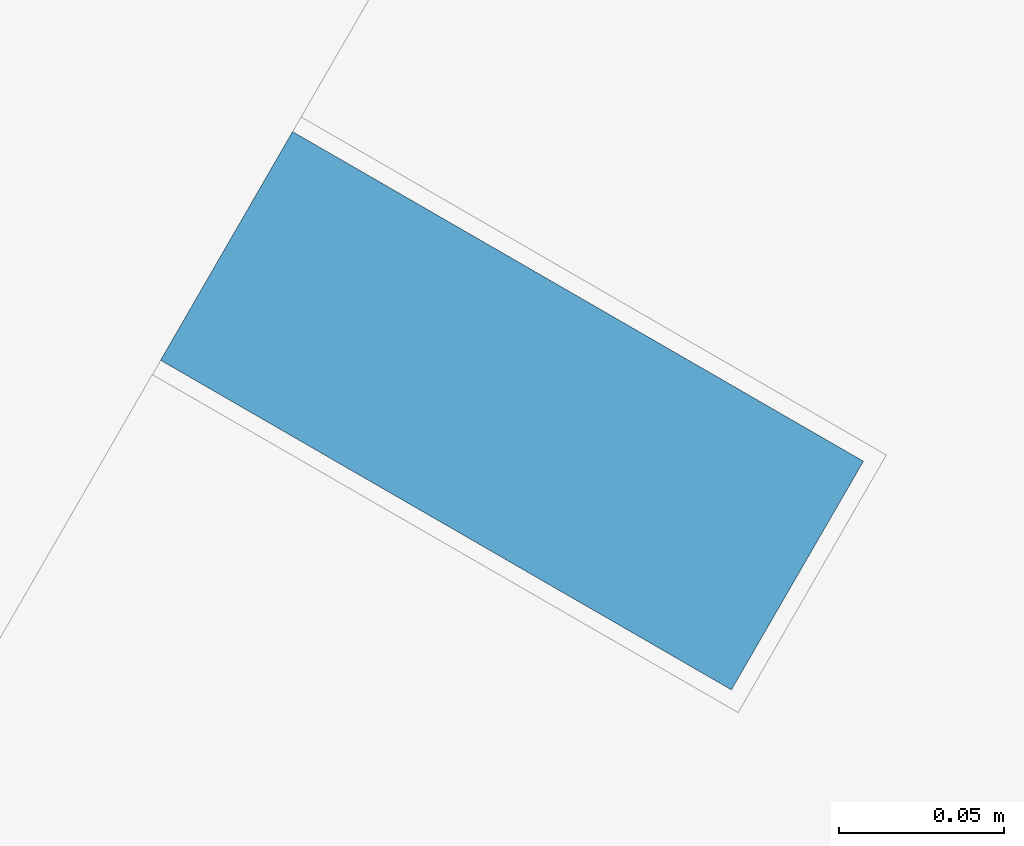
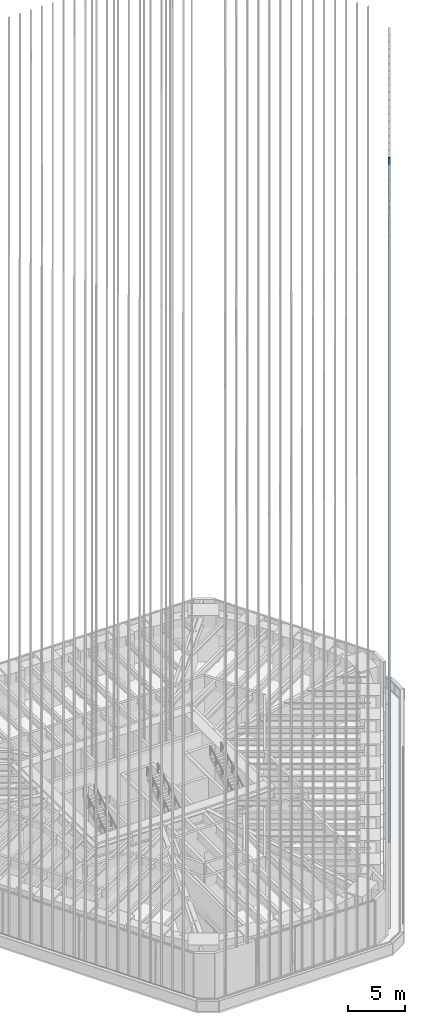
# One storey, part 97 of 228: 1 member, 1 element without a shape of its own.
"""IFC4 building model written with IfcOpenShell, lengths in metres."""

from ifc_helpers import new_model, si_unit, direction, frame, origin, origin_2d, place, context, subcontext, project, spatial, rectangle, extrude, material, material_profile, profile_set, type_object, element, aggregate, save


model = new_model("IFC4")

# Units and contexts
model_context = context("Model", 3, precision=1e-05, world=origin(), true_north=direction((0.0, 1.0)))
body_context = subcontext(model_context, "Body", "Model", "MODEL_VIEW")
ifc_project = project(units=[si_unit("LENGTHUNIT", "METRE"), si_unit("AREAUNIT", "SQUARE_METRE"), si_unit("VOLUMEUNIT", "CUBIC_METRE"), si_unit("PLANEANGLEUNIT", "RADIAN"), si_unit("MASSUNIT", "GRAM", prefix="KILO")], contexts=[model_context])

# Site, building, storey
site_placement = place(None, origin())
site = spatial("IfcSite", under=ifc_project, at=site_placement, CompositionType="ELEMENT")
building_placement = place(site_placement, origin())
building = spatial("IfcBuilding", under=site, at=building_placement, Name="Sandreach Pilgrim Tower", CompositionType="ELEMENT")
storey_placement = place(building_placement, frame((0.0, 0.0, 178.199951171875)))
storey = spatial("IfcBuildingStorey", under=building, at=storey_placement, Name="L44", CompositionType="ELEMENT", Elevation=178.199951171875)

# Curtain wall, member
ifc_material_1 = material(Name="Aluminium framed curtain wall", Category="aluminium")
curtain_wall_type = type_object("IfcCurtainWallType", Name="Upper hotel tower curtain wall", PredefinedType="NOTDEFINED", material=ifc_material_1)
curtain_wall_placement = place(storey_placement, origin())
curtain_wall = element("IfcCurtainWall", 1, at=curtain_wall_placement, inside=storey, type_object=curtain_wall_type, Name="CW-3 L44 SE", PredefinedType="NOTDEFINED")
ifc_material_2 = material(Name="Extruded terracotta on aluminium core", Category="masonry")
ifc_material_profile = material_profile(ifc_material_2, rectangle(XDim=0.080078125, YDim=0.199951171875, at=origin_2d()), Name="TBE 80X200")
ifc_profile_set = profile_set([ifc_material_profile], Name="Extruded terracotta on aluminium core")
member_type = type_object("IfcMemberType", Name="Terracotta baguette east", PredefinedType="USERDEFINED", material=ifc_profile_set)
member_placement = place(storey_placement, frame((17.01953125, -13.641357421875, 0.0), z_axis=(0.0, 0.0, 1.0), x_axis=(-0.5, -0.866025403784, 0.0)))
member = element("IfcMember", 2, at=member_placement, type_object=member_type, Name="Baguette Z3 SE19", ObjectType="BAGUETTE", PredefinedType="USERDEFINED", context=body_context, shape_type="SweptSolid", body=[
    extrude(rectangle(XDim=0.080078125, YDim=0.199951171875, at=origin_2d()), origin(), (0.0, 0.0, 1.0), 73.239990234375),
])
aggregate(curtain_wall, [member])

save(model, "model.ifc")
